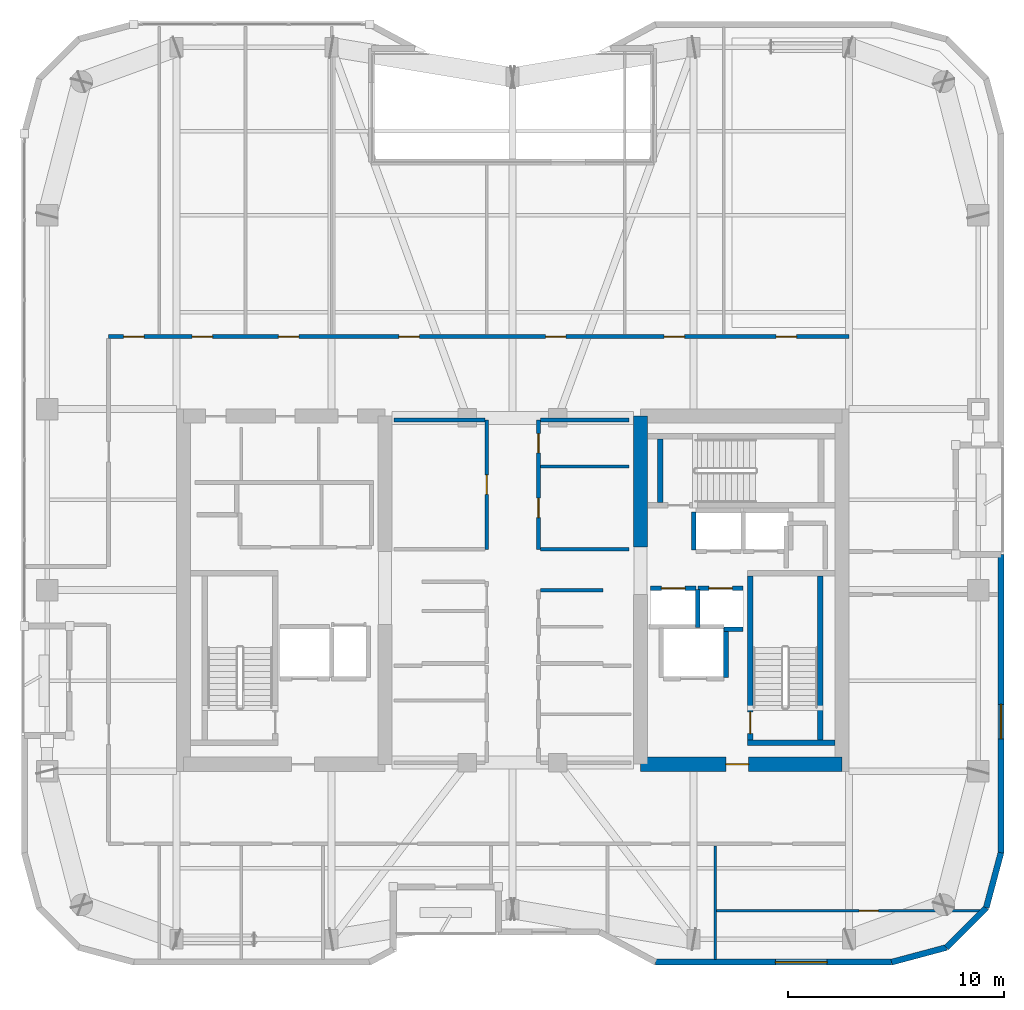
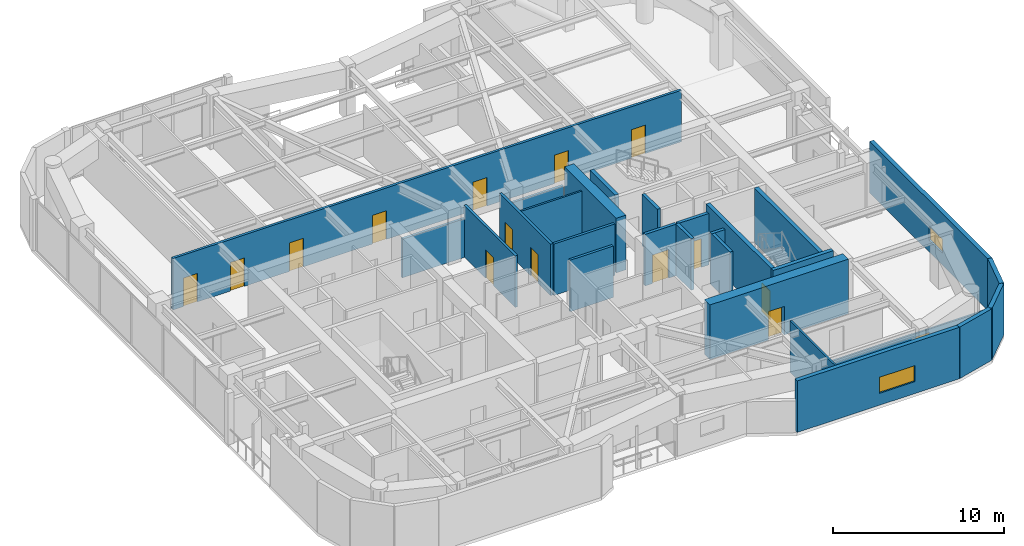
# One storey, part 17 of 22: 27 walls, 15 doors, 2 windows, 17 openings.
"""IFC4 building model written with IfcOpenShell, lengths in metres."""

from ifc_helpers import new_model, si_unit, direction, frame, frame_2d, origin, place, context, subcontext, project, spatial, rectangle, extrude, material, layer, layer_set, type_object, element, fill, save


model = new_model("IFC4")

# Units and contexts
model_context = context("Model", 3, precision=1e-05, world=origin(), true_north=direction((0.0, 1.0)))
body_context = subcontext(model_context, "Body", "Model", "MODEL_VIEW")
ifc_project = project(units=[si_unit("LENGTHUNIT", "METRE"), si_unit("AREAUNIT", "SQUARE_METRE"), si_unit("VOLUMEUNIT", "CUBIC_METRE"), si_unit("PLANEANGLEUNIT", "RADIAN"), si_unit("MASSUNIT", "GRAM", prefix="KILO")], contexts=[model_context])

# Site, building, storey
site_placement = place(None, origin())
site = spatial("IfcSite", under=ifc_project, at=site_placement, CompositionType="ELEMENT")
building_placement = place(site_placement, origin())
building = spatial("IfcBuilding", under=site, at=building_placement, Name="Kiyonajd Concourse Tower", CompositionType="ELEMENT")
storey_placement = place(building_placement, frame((0.0, 0.0, 243.300048828125)))
storey = spatial("IfcBuildingStorey", under=building, at=storey_placement, Name="L61", CompositionType="ELEMENT", Elevation=243.300048828125)

# Wall
ifc_material_1 = material(Name="Concrete C60/75", Category="concrete")
ifc_layer_1 = layer(ifc_material_1, 0.64990234375)
ifc_layer_set_1 = layer_set([ifc_layer_1], Name="Concrete C60/75")
wall_type_1 = type_object("IfcWallType", Name="WL-CORE-650", PredefinedType="SHEAR", material=ifc_layer_set_1)
wall_1_placement = place(storey_placement, frame((53.925048828125, 38.0, 0.0), z_axis=(0.0, 0.0, 1.0), x_axis=(0.0, 1.0, 0.0)))
element("IfcWall", 1, at=wall_1_placement, inside=storey, type_object=wall_type_1, Name="L61 East Core Inner North Shear Wall", PredefinedType="SHEAR", context=body_context, shape_type="SweptSolid", body=[
    extrude(rectangle(XDim=6.074951171875, YDim=0.64990234375, at=frame_2d((3.03759765625, 0.0))), origin(), (0.0, 0.0, 1.0), 3.89990234375),
])

# Wall, opening, door
wall_2_placement = place(storey_placement, frame((53.925048828125, 27.925048828125, 0.0), z_axis=(0.0, 0.0, 1.0), x_axis=(1.0, 0.0, 0.0)))
wall_2 = element("IfcWall", 2, at=wall_2_placement, inside=storey, type_object=wall_type_1, Name="L61 East Core South Shear Wall", PredefinedType="SHEAR", context=body_context, shape_type="SweptSolid", body=[
    extrude(rectangle(XDim=9.349853515625, YDim=0.64990234375, at=frame_2d((4.6748046875, 0.0))), origin(), (0.0, 0.0, 1.0), 3.89990234375),
])
opening_1_placement = place(wall_2_placement, frame((3.97509765625, 0.0, 0.0)))
opening_1 = element("IfcOpeningElement", 3, at=opening_1_placement, cuts=wall_2, Name="Opening DF5", PredefinedType="OPENING", context=body_context, shape_type="SweptSolid", body=[
    extrude(rectangle(XDim=1.050048828125, YDim=2.0400390625, at=frame_2d((0.52490234375, 1.02001953125))), frame((0.0, 0.3349609375, 0.0), z_axis=(0.0, -1.0, 0.0), x_axis=(1.0, 0.0, 0.0)), (0.0, 0.0, 1.0), 0.669921875),
])
ifc_material_2 = material(Name="Brushed Stainless Steel Cab Assembly", Category="steel")
door_type_1 = type_object("IfcDoorType", Name="DR-FD45-1050", OperationType="NOTDEFINED", PredefinedType="DOOR", material=ifc_material_2)
door_1_placement = place(opening_1_placement, origin())
door_1 = element("IfcDoor", 4, at=door_1_placement, inside=storey, type_object=door_type_1, Name="L61 Firefighting Lift Lobby E Smoke Door", OperationType="SINGLE_SWING_RIGHT", OverallHeight=2.0400390625, OverallWidth=1.050048828125, PredefinedType="DOOR", context=body_context, shape_type="SweptSolid", body=[
    extrude(rectangle(XDim=1.050048828125, YDim=2.0400390625, at=frame_2d((0.52490234375, 1.02001953125))), frame((0.0, 0.02490234375, 0.0), z_axis=(0.0, -1.0, 0.0), x_axis=(1.0, 0.0, 0.0)), (0.0, 0.0, 1.0), 0.050048828125),
])
fill(opening_1, door_1)

# Wall, opening, window
ifc_material_3 = material(Name="Precast concrete C50/60", Category="concrete")
ifc_layer_2 = layer(ifc_material_3, 0.280029296875)
ifc_layer_set_2 = layer_set([ifc_layer_2], Name="Precast concrete C50/60")
wall_type_2 = type_object("IfcWallType", Name="WL-EXT-280", PredefinedType="SOLIDWALL", material=ifc_layer_set_2)
wall_3_placement = place(storey_placement, frame((70.659912109375, 37.659912109375, 0.0), z_axis=(0.0, 0.0, 1.0), x_axis=(0.0, -1.0, 0.0)))
wall_3 = element("IfcWall", 5, at=wall_3_placement, inside=storey, type_object=wall_type_2, Name="L61 Exterior Concrete Frame Wall 25", PredefinedType="SOLIDWALL", context=body_context, shape_type="SweptSolid", body=[
    extrude(rectangle(XDim=13.841552734375, YDim=0.280029296875, at=frame_2d((6.9208984375, 0.0))), origin(), (0.0, 0.0, 1.0), 3.679931640625),
])
opening_2_placement = place(wall_3_placement, frame((6.9560546875, 0.0, 0.85009765625)))
opening_2 = element("IfcOpeningElement", 6, at=opening_2_placement, cuts=wall_3, Name="Opening WN6", PredefinedType="OPENING", context=body_context, shape_type="SweptSolid", body=[
    extrude(rectangle(XDim=1.60009765625, YDim=1.0, at=frame_2d((0.800048828125, 0.5))), frame((0.0, 0.14990234375, 0.0), z_axis=(0.0, -1.0, 0.0), x_axis=(1.0, 0.0, 0.0)), (0.0, 0.0, 1.0), 0.300048828125),
])
ifc_material_4 = material(Name="Double Low-E Insulated Glass", Category="glass")
window_type_1 = type_object("IfcWindowType", Name="WN-VIS-1600x1000", PartitioningType="SINGLE_PANEL", PredefinedType="WINDOW", material=ifc_material_4)
window_1_placement = place(opening_2_placement, origin())
window_1 = element("IfcWindow", 7, at=window_1_placement, inside=storey, type_object=window_type_1, Name="L61 Modular Facade Vision Window 25", OverallHeight=1.0, OverallWidth=1.60009765625, PartitioningType="SINGLE_PANEL", PredefinedType="WINDOW", context=body_context, shape_type="SweptSolid", body=[
    extrude(rectangle(XDim=1.60009765625, YDim=1.0, at=frame_2d((0.800048828125, 0.5))), frame((0.0, 0.030029296875, 0.0), z_axis=(0.0, -1.0, 0.0), x_axis=(1.0, 0.0, 0.0)), (0.0, 0.0, 1.0), 0.06005859375),
])
fill(opening_2, window_1)

# Walls
wall_4_placement = place(storey_placement, frame((70.659912109375, 23.818359375, 0.0), z_axis=(0.0, 0.0, 1.0), x_axis=(-0.2588904131, -0.965906700466, 0.0)))
element("IfcWall", 8, at=wall_4_placement, inside=storey, type_object=wall_type_2, Name="L61 Exterior Concrete Frame Wall 26", PredefinedType="SOLIDWALL", context=body_context, shape_type="SweptSolid", body=[
    extrude(rectangle(XDim=2.6357421875, YDim=0.280029296875, at=frame_2d((1.31787109375, 0.0))), origin(), (0.0, 0.0, 1.0), 3.679931640625),
])
wall_5_placement = place(storey_placement, frame((69.9775390625, 21.2724609375, 0.0), z_axis=(0.0, 0.0, 1.0), x_axis=(-0.707153437963, -0.707060121331, 0.0)))
element("IfcWall", 9, at=wall_5_placement, inside=storey, type_object=wall_type_2, Name="L61 Exterior Concrete Frame Wall 27", PredefinedType="SOLIDWALL", context=body_context, shape_type="SweptSolid", body=[
    extrude(rectangle(XDim=2.6162109375, YDim=0.280029296875, at=frame_2d((1.30810546875, 0.0))), origin(), (0.0, 0.0, 1.0), 3.679931640625),
])
wall_6_placement = place(storey_placement, frame((68.12744140625, 19.422607421875, 0.0), z_axis=(0.0, 0.0, 1.0), x_axis=(-0.965883534663, -0.258976828051, 0.0)))
element("IfcWall", 10, at=wall_6_placement, inside=storey, type_object=wall_type_2, Name="L61 Exterior Concrete Frame Wall 28", PredefinedType="SOLIDWALL", context=body_context, shape_type="SweptSolid", body=[
    extrude(rectangle(XDim=2.6357421875, YDim=0.280029296875, at=frame_2d((1.31787109375, 0.0))), origin(), (0.0, 0.0, 1.0), 3.679931640625),
])

# Wall, opening, window
wall_7_placement = place(storey_placement, frame((65.58154296875, 18.739990234375, 0.0), z_axis=(0.0, 0.0, 1.0), x_axis=(-1.0, 0.0, 0.0)))
wall_7 = element("IfcWall", 11, at=wall_7_placement, inside=storey, type_object=wall_type_2, Name="L61 Exterior Concrete Frame Wall 29", PredefinedType="SOLIDWALL", context=body_context, shape_type="SweptSolid", body=[
    extrude(rectangle(XDim=10.9462890625, YDim=0.280029296875, at=frame_2d((5.47314453125, 0.0))), origin(), (0.0, 0.0, 1.0), 3.679931640625),
])
opening_3_placement = place(wall_7_placement, frame((2.986083984375, 0.0, 0.85009765625)))
opening_3 = element("IfcOpeningElement", 12, at=opening_3_placement, cuts=wall_7, Name="Opening WN4", PredefinedType="OPENING", context=body_context, shape_type="SweptSolid", body=[
    extrude(rectangle(XDim=2.39990234375, YDim=1.14990234375, at=frame_2d((1.199951171875, 0.574951171875))), frame((0.0, 0.14990234375, 0.0), z_axis=(0.0, -1.0, 0.0), x_axis=(1.0, 0.0, 0.0)), (0.0, 0.0, 1.0), 0.300048828125),
])
window_type_2 = type_object("IfcWindowType", Name="WN-VIS-2400x1150", PartitioningType="SINGLE_PANEL", PredefinedType="WINDOW", material=ifc_material_4)
window_2_placement = place(opening_3_placement, origin())
window_2 = element("IfcWindow", 13, at=window_2_placement, inside=storey, type_object=window_type_2, Name="L61 Modular Facade Vision Window 29", OverallHeight=1.14990234375, OverallWidth=2.39990234375, PartitioningType="SINGLE_PANEL", PredefinedType="WINDOW", context=body_context, shape_type="SweptSolid", body=[
    extrude(rectangle(XDim=2.39990234375, YDim=1.14990234375, at=frame_2d((1.199951171875, 0.574951171875))), frame((0.0, 0.030029296875, 0.0), z_axis=(0.0, -1.0, 0.0), x_axis=(1.0, 0.0, 0.0)), (0.0, 0.0, 1.0), 0.06005859375),
])
fill(opening_3, window_2)

# Wall
ifc_material_5 = material(Name="Gypsum Board on Cold-Formed Steel Stud", Category="steel")
ifc_layer_3 = layer(ifc_material_5, 0.125)
ifc_layer_set_3 = layer_set([ifc_layer_3], Name="Gypsum Board on Cold-Formed Steel Stud")
wall_type_3 = type_object("IfcWallType", Name="WL-PART-125", PredefinedType="PARTITIONING", material=ifc_layer_set_3)
wall_8_placement = place(storey_placement, frame((49.287109375, 41.739990234375, 0.0), z_axis=(0.0, 0.0, 1.0), x_axis=(1.0, 0.0, 0.0)))
element("IfcWall", 14, at=wall_8_placement, inside=storey, type_object=wall_type_3, Name="L61 Interior Partition Wall", PredefinedType="PARTITIONING", context=body_context, shape_type="SweptSolid", body=[
    extrude(rectangle(XDim=4.11279296875, YDim=0.125, at=frame_2d((2.056396484375, 0.0))), origin(), (0.0, 0.0, 1.0), 3.679931640625),
])

# Wall, opening, door
wall_9_placement = place(storey_placement, frame((57.39990234375, 21.1298828125, 0.0), z_axis=(0.0, 0.0, 1.0), x_axis=(1.0, 0.0, 0.0)))
wall_9 = element("IfcWall", 15, at=wall_9_placement, inside=storey, type_object=wall_type_3, Name="L61 Interior Partition Wall", PredefinedType="PARTITIONING", context=body_context, shape_type="SweptSolid", body=[
    extrude(rectangle(XDim=12.298095703125, YDim=0.125, at=frame_2d((6.14892578125, 0.0))), origin(), (0.0, 0.0, 1.0), 2.264892578125),
])
opening_4_placement = place(wall_9_placement, frame((6.676025390625, 0.0, 0.0)))
opening_4 = element("IfcOpeningElement", 16, at=opening_4_placement, cuts=wall_9, Name="Opening DI2", PredefinedType="OPENING", context=body_context, shape_type="SweptSolid", body=[
    extrude(rectangle(XDim=0.89990234375, YDim=2.02001953125, at=frame_2d((0.449951171875, 1.010009765625))), frame((0.0, 0.072509765625, 0.0), z_axis=(0.0, -1.0, 0.0), x_axis=(1.0, 0.0, 0.0)), (0.0, 0.0, 1.0), 0.14501953125),
])
ifc_material_6 = material(Name="Natural Oak Acoustic Timber Veneer", Category="wood")
door_type_2 = type_object("IfcDoorType", Name="DR-INT-900", OperationType="NOTDEFINED", PredefinedType="DOOR", material=ifc_material_6)
door_2_placement = place(opening_4_placement, origin())
door_2 = element("IfcDoor", 17, at=door_2_placement, inside=storey, type_object=door_type_2, Name="L61 Interior Door", OperationType="SINGLE_SWING_LEFT", OverallHeight=2.02001953125, OverallWidth=0.89990234375, PredefinedType="DOOR", context=body_context, shape_type="SweptSolid", body=[
    extrude(rectangle(XDim=0.89990234375, YDim=2.02001953125, at=frame_2d((0.449951171875, 1.010009765625))), frame((0.0, 0.02490234375, 0.0), z_axis=(0.0, -1.0, 0.0), x_axis=(1.0, 0.0, 0.0)), (0.0, 0.0, 1.0), 0.050048828125),
])
fill(opening_4, door_2)

# Walls
wall_10_placement = place(storey_placement, frame((57.39990234375, 18.875, 0.0), z_axis=(0.0, 0.0, 1.0), x_axis=(0.0, 1.0, 0.0)))
element("IfcWall", 18, at=wall_10_placement, inside=storey, type_object=wall_type_3, Name="L61 Interior Partition Wall", PredefinedType="PARTITIONING", context=body_context, shape_type="SweptSolid", body=[
    extrude(rectangle(XDim=5.26806640625, YDim=0.125, at=frame_2d((2.634033203125, 0.0))), origin(), (0.0, 0.0, 1.0), 3.679931640625),
])
ifc_layer_4 = layer(ifc_material_5, 0.2099609375)
ifc_layer_set_4 = layer_set([ifc_layer_4], Name="Gypsum Board on Cold-Formed Steel Stud")
wall_type_4 = type_object("IfcWallType", Name="WL-SHAFT-210", PredefinedType="PARTITIONING", material=ifc_layer_set_4)
wall_11_placement = place(storey_placement, frame((57.89990234375, 31.9599609375, 0.0), z_axis=(0.0, 0.0, 1.0), x_axis=(0.0, 1.0, 0.0)))
element("IfcWall", 19, at=wall_11_placement, inside=storey, type_object=wall_type_4, Name="L61 Shaft Enclosure Wall", PredefinedType="PARTITIONING", context=body_context, shape_type="SweptSolid", body=[
    extrude(rectangle(XDim=2.280029296875, YDim=0.2099609375, at=frame_2d((1.14013671875, 0.0))), origin(), (0.0, 0.0, 1.0), 3.679931640625),
])

# Wall, opening, door
wall_12_placement = place(storey_placement, frame((54.39990234375, 36.10009765625, 0.0), z_axis=(0.0, 0.0, 1.0), x_axis=(1.0, 0.0, 0.0)))
wall_12 = element("IfcWall", 20, at=wall_12_placement, inside=storey, type_object=wall_type_4, Name="L61 Shaft Enclosure Wall", PredefinedType="PARTITIONING", context=body_context, shape_type="SweptSolid", body=[
    extrude(rectangle(XDim=2.10009765625, YDim=0.2099609375, at=frame_2d((1.050048828125, 0.0))), origin(), (0.0, 0.0, 1.0), 3.679931640625),
])
opening_5_placement = place(wall_12_placement, frame((0.5, 0.0, 0.0)))
opening_5 = element("IfcOpeningElement", 21, at=opening_5_placement, cuts=wall_12, Name="Opening LD1", PredefinedType="OPENING", context=body_context, shape_type="SweptSolid", body=[
    extrude(rectangle(XDim=1.10009765625, YDim=2.0400390625, at=frame_2d((0.550048828125, 1.02001953125))), frame((0.0, 0.114990234375, 0.0), z_axis=(0.0, -1.0, 0.0), x_axis=(1.0, 0.0, 0.0)), (0.0, 0.0, 1.0), 0.22998046875),
])
door_type_3 = type_object("IfcDoorType", Name="DR-LD-1100", OperationType="DOUBLE_DOOR_SLIDING", PredefinedType="DOOR", material=ifc_material_2)
door_3_placement = place(opening_5_placement, origin())
door_3 = element("IfcDoor", 22, at=door_3_placement, inside=storey, type_object=door_type_3, Name="L61 Lift PL-H1 Sliding Landing Door", OperationType="DOUBLE_DOOR_SLIDING", OverallHeight=2.0400390625, OverallWidth=1.10009765625, PredefinedType="DOOR", context=body_context, shape_type="SweptSolid", body=[
    extrude(rectangle(XDim=1.10009765625, YDim=2.0400390625, at=frame_2d((0.550048828125, 1.02001953125))), frame((0.0, 0.02490234375, 0.0), z_axis=(0.0, -1.0, 0.0), x_axis=(1.0, 0.0, 0.0)), (0.0, 0.0, 1.0), 0.050048828125),
])
fill(opening_5, door_3)

# Wall
wall_13_placement = place(storey_placement, frame((56.60009765625, 34.260009765625, 0.0), z_axis=(0.0, 0.0, 1.0), x_axis=(0.0, 1.0, 0.0)))
element("IfcWall", 23, at=wall_13_placement, inside=storey, type_object=wall_type_4, Name="L61 Shaft Enclosure Wall", PredefinedType="PARTITIONING", context=body_context, shape_type="SweptSolid", body=[
    extrude(rectangle(XDim=1.780029296875, YDim=0.2099609375, at=frame_2d((0.89013671875, 0.0))), origin(), (0.0, 0.0, 1.0), 3.679931640625),
])

# Wall, opening, door
wall_14_placement = place(storey_placement, frame((56.60009765625, 36.10009765625, 0.0), z_axis=(0.0, 0.0, 1.0), x_axis=(1.0, 0.0, 0.0)))
wall_14 = element("IfcWall", 24, at=wall_14_placement, inside=storey, type_object=wall_type_4, Name="L61 Shaft Enclosure Wall", PredefinedType="PARTITIONING", context=body_context, shape_type="SweptSolid", body=[
    extrude(rectangle(XDim=2.099853515625, YDim=0.2099609375, at=frame_2d((1.0498046875, 0.0))), origin(), (0.0, 0.0, 1.0), 3.679931640625),
])
opening_6_placement = place(wall_14_placement, frame((0.5, 0.0, 0.0)))
opening_6 = element("IfcOpeningElement", 25, at=opening_6_placement, cuts=wall_14, Name="Opening LD1", PredefinedType="OPENING", context=body_context, shape_type="SweptSolid", body=[
    extrude(rectangle(XDim=1.10009765625, YDim=2.0400390625, at=frame_2d((0.550048828125, 1.02001953125))), frame((0.0, 0.114990234375, 0.0), z_axis=(0.0, -1.0, 0.0), x_axis=(1.0, 0.0, 0.0)), (0.0, 0.0, 1.0), 0.22998046875),
])
door_4_placement = place(opening_6_placement, origin())
door_4 = element("IfcDoor", 26, at=door_4_placement, inside=storey, type_object=door_type_3, Name="L61 Lift PL-H2 Sliding Landing Door", OperationType="DOUBLE_DOOR_SLIDING", OverallHeight=2.0400390625, OverallWidth=1.10009765625, PredefinedType="DOOR", context=body_context, shape_type="SweptSolid", body=[
    extrude(rectangle(XDim=1.10009765625, YDim=2.0400390625, at=frame_2d((0.550048828125, 1.02001953125))), frame((0.0, 0.02490234375, 0.0), z_axis=(0.0, -1.0, 0.0), x_axis=(1.0, 0.0, 0.0)), (0.0, 0.0, 1.0), 0.050048828125),
])
fill(opening_6, door_4)

# Walls
wall_15_placement = place(storey_placement, frame((57.800048828125, 34.199951171875, 0.0), z_axis=(0.0, 0.0, 1.0), x_axis=(1.0, 0.0, 0.0)))
element("IfcWall", 27, at=wall_15_placement, inside=storey, type_object=wall_type_4, Name="L61 Shaft Enclosure Wall", PredefinedType="PARTITIONING", context=body_context, shape_type="SweptSolid", body=[
    extrude(rectangle(XDim=0.89990234375, YDim=0.2099609375, at=frame_2d((0.449951171875, 0.0))), origin(), (0.0, 0.0, 1.0), 3.679931640625),
])
wall_16_placement = place(storey_placement, frame((56.39990234375, 37.860107421875, 0.0), z_axis=(0.0, 0.0, 1.0), x_axis=(0.0, 1.0, 0.0)))
element("IfcWall", 28, at=wall_16_placement, inside=storey, type_object=wall_type_4, Name="L61 Shaft Enclosure Wall", PredefinedType="PARTITIONING", context=body_context, shape_type="SweptSolid", body=[
    extrude(rectangle(XDim=1.77978515625, YDim=0.2099609375, at=frame_2d((0.889892578125, 0.0))), origin(), (0.0, 0.0, 1.0), 3.679931640625),
])
ifc_layer_5 = layer(ifc_material_5, 0.169921875)
ifc_layer_set_5 = layer_set([ifc_layer_5], Name="Gypsum Board on Cold-Formed Steel Stud")
wall_type_5 = type_object("IfcWallType", Name="WL-SMK-170", PredefinedType="PARTITIONING", material=ifc_layer_set_5)
wall_17_placement = place(storey_placement, frame((49.287109375, 36.0, 0.0), z_axis=(0.0, 0.0, 1.0), x_axis=(1.0, 0.0, 0.0)))
element("IfcWall", 29, at=wall_17_placement, inside=storey, type_object=wall_type_5, Name="L61 Interior Partition Wall", PredefinedType="PARTITIONING", context=body_context, shape_type="SweptSolid", body=[
    extrude(rectangle(XDim=2.912841796875, YDim=0.169921875, at=frame_2d((1.45654296875, 0.0))), origin(), (0.0, 0.0, 1.0), 3.679931640625),
])

# Wall, opening, door
wall_18_placement = place(storey_placement, frame((46.800048828125, 37.89990234375, 0.0), z_axis=(0.0, 0.0, 1.0), x_axis=(0.0, 1.0, 0.0)))
wall_18 = element("IfcWall", 30, at=wall_18_placement, inside=storey, type_object=wall_type_5, Name="L61 Interior Partition Wall", PredefinedType="PARTITIONING", context=body_context, shape_type="SweptSolid", body=[
    extrude(rectangle(XDim=6.0, YDim=0.169921875, at=frame_2d((3.0, 0.0))), origin(), (0.0, 0.0, 1.0), 3.679931640625),
])
opening_7_placement = place(wall_18_placement, frame((2.550048828125, 0.0, 0.0)))
opening_7 = element("IfcOpeningElement", 31, at=opening_7_placement, cuts=wall_18, Name="Opening DI2", PredefinedType="OPENING", context=body_context, shape_type="SweptSolid", body=[
    extrude(rectangle(XDim=0.89990234375, YDim=2.02001953125, at=frame_2d((0.449951171875, 1.010009765625))), frame((0.0, 0.094970703125, 0.0), z_axis=(0.0, -1.0, 0.0), x_axis=(1.0, 0.0, 0.0)), (0.0, 0.0, 1.0), 0.18994140625),
])
door_5_placement = place(opening_7_placement, origin())
door_5 = element("IfcDoor", 32, at=door_5_placement, inside=storey, type_object=door_type_2, Name="L61 Interior Door", OperationType="SINGLE_SWING_RIGHT", OverallHeight=2.02001953125, OverallWidth=0.89990234375, PredefinedType="DOOR", context=body_context, shape_type="SweptSolid", body=[
    extrude(rectangle(XDim=0.89990234375, YDim=2.02001953125, at=frame_2d((0.449951171875, 1.010009765625))), frame((0.0, 0.02490234375, 0.0), z_axis=(0.0, -1.0, 0.0), x_axis=(1.0, 0.0, 0.0)), (0.0, 0.0, 1.0), 0.050048828125),
])
fill(opening_7, door_5)

# Wall
wall_19_placement = place(storey_placement, frame((42.5, 43.89990234375, 0.0), z_axis=(0.0, 0.0, 1.0), x_axis=(1.0, 0.0, 0.0)))
element("IfcWall", 33, at=wall_19_placement, inside=storey, type_object=wall_type_5, Name="L61 Interior Partition Wall", PredefinedType="PARTITIONING", context=body_context, shape_type="SweptSolid", body=[
    extrude(rectangle(XDim=4.212890625, YDim=0.169921875, at=frame_2d((2.1064453125, 0.0))), origin(), (0.0, 0.0, 1.0), 2.764892578125),
])

# Wall, openings, doors
wall_20_placement = place(storey_placement, frame((49.199951171875, 37.89990234375, 0.0), z_axis=(0.0, 0.0, 1.0), x_axis=(0.0, 1.0, 0.0)))
wall_20 = element("IfcWall", 34, at=wall_20_placement, inside=storey, type_object=wall_type_5, Name="L61 Interior Partition Wall", PredefinedType="PARTITIONING", context=body_context, shape_type="SweptSolid", body=[
    extrude(rectangle(XDim=6.0, YDim=0.169921875, at=frame_2d((3.0, 0.0))), origin(), (0.0, 0.0, 1.0), 3.679931640625),
])
opening_8_placement = place(wall_20_placement, frame((1.469970703125, 0.0, 0.0)))
opening_8 = element("IfcOpeningElement", 35, at=opening_8_placement, cuts=wall_20, Name="Opening DF4", PredefinedType="OPENING", context=body_context, shape_type="SweptSolid", body=[
    extrude(rectangle(XDim=0.89990234375, YDim=2.02001953125, at=frame_2d((0.449951171875, 1.010009765625))), frame((0.0, 0.094970703125, 0.0), z_axis=(0.0, -1.0, 0.0), x_axis=(1.0, 0.0, 0.0)), (0.0, 0.0, 1.0), 0.18994140625),
])
opening_9_placement = place(wall_20_placement, frame((4.469970703125, 0.0, 0.0)))
opening_9 = element("IfcOpeningElement", 36, at=opening_9_placement, cuts=wall_20, Name="Opening DF4", PredefinedType="OPENING", context=body_context, shape_type="SweptSolid", body=[
    extrude(rectangle(XDim=0.89990234375, YDim=2.02001953125, at=frame_2d((0.449951171875, 1.010009765625))), frame((0.0, 0.094970703125, 0.0), z_axis=(0.0, -1.0, 0.0), x_axis=(1.0, 0.0, 0.0)), (0.0, 0.0, 1.0), 0.18994140625),
])
door_type_4 = type_object("IfcDoorType", Name="DR-FD60-900", OperationType="NOTDEFINED", PredefinedType="DOOR", material=ifc_material_2)
door_6_placement = place(opening_8_placement, origin())
door_6 = element("IfcDoor", 37, at=door_6_placement, inside=storey, type_object=door_type_4, Name="L61 Interior Door", OperationType="SINGLE_SWING_LEFT", OverallHeight=2.02001953125, OverallWidth=0.89990234375, PredefinedType="DOOR", context=body_context, shape_type="SweptSolid", body=[
    extrude(rectangle(XDim=0.89990234375, YDim=2.02001953125, at=frame_2d((0.449951171875, 1.010009765625))), frame((0.0, 0.02490234375, 0.0), z_axis=(0.0, -1.0, 0.0), x_axis=(1.0, 0.0, 0.0)), (0.0, 0.0, 1.0), 0.050048828125),
])
fill(opening_8, door_6)
door_7_placement = place(opening_9_placement, origin())
door_7 = element("IfcDoor", 38, at=door_7_placement, inside=storey, type_object=door_type_4, Name="L61 Interior Door", OperationType="SINGLE_SWING_RIGHT", OverallHeight=2.02001953125, OverallWidth=0.89990234375, PredefinedType="DOOR", context=body_context, shape_type="SweptSolid", body=[
    extrude(rectangle(XDim=0.89990234375, YDim=2.02001953125, at=frame_2d((0.449951171875, 1.010009765625))), frame((0.0, 0.02490234375, 0.0), z_axis=(0.0, -1.0, 0.0), x_axis=(1.0, 0.0, 0.0)), (0.0, 0.0, 1.0), 0.050048828125),
])
fill(opening_9, door_7)

# Walls
wall_21_placement = place(storey_placement, frame((49.287109375, 37.89990234375, 0.0), z_axis=(0.0, 0.0, 1.0), x_axis=(1.0, 0.0, 0.0)))
element("IfcWall", 39, at=wall_21_placement, inside=storey, type_object=wall_type_5, Name="L61 Interior Partition Wall", PredefinedType="PARTITIONING", context=body_context, shape_type="SweptSolid", body=[
    extrude(rectangle(XDim=4.11279296875, YDim=0.169921875, at=frame_2d((2.056396484375, 0.0))), origin(), (0.0, 0.0, 1.0), 3.679931640625),
])
wall_22_placement = place(storey_placement, frame((49.287109375, 43.89990234375, 0.0), z_axis=(0.0, 0.0, 1.0), x_axis=(1.0, 0.0, 0.0)))
element("IfcWall", 40, at=wall_22_placement, inside=storey, type_object=wall_type_5, Name="L61 Interior Partition Wall", PredefinedType="PARTITIONING", context=body_context, shape_type="SweptSolid", body=[
    extrude(rectangle(XDim=4.11279296875, YDim=0.169921875, at=frame_2d((2.056396484375, 0.0))), origin(), (0.0, 0.0, 1.0), 2.764892578125),
])

# Wall, openings, doors
wall_23_placement = place(storey_placement, frame((29.25, 47.77001953125, 0.0), z_axis=(0.0, 0.0, 1.0), x_axis=(1.0, 0.0, 0.0)))
wall_23 = element("IfcWall", 41, at=wall_23_placement, inside=storey, type_object=wall_type_5, Name="L61 Interior Partition Wall", PredefinedType="PARTITIONING", context=body_context, shape_type="SweptSolid", body=[
    extrude(rectangle(XDim=34.35009765625, YDim=0.169921875, at=frame_2d((17.175048828125, 0.0))), origin(), (0.0, 0.0, 1.0), 3.679931640625),
])
opening_10_placement = place(wall_23_placement, frame((0.699951171875, 0.0, 0.0)))
opening_10 = element("IfcOpeningElement", 42, at=opening_10_placement, cuts=wall_23, Name="Opening DI1", PredefinedType="OPENING", context=body_context, shape_type="SweptSolid", body=[
    extrude(rectangle(XDim=0.949951171875, YDim=2.0400390625, at=frame_2d((0.47509765625, 1.02001953125))), frame((0.0, 0.094970703125, 0.0), z_axis=(0.0, -1.0, 0.0), x_axis=(1.0, 0.0, 0.0)), (0.0, 0.0, 1.0), 0.18994140625),
])
opening_11_placement = place(wall_23_placement, frame((3.875, 0.0, 0.0)))
opening_11 = element("IfcOpeningElement", 43, at=opening_11_placement, cuts=wall_23, Name="Opening DI1", PredefinedType="OPENING", context=body_context, shape_type="SweptSolid", body=[
    extrude(rectangle(XDim=0.949951171875, YDim=2.0400390625, at=frame_2d((0.47509765625, 1.02001953125))), frame((0.0, 0.094970703125, 0.0), z_axis=(0.0, -1.0, 0.0), x_axis=(1.0, 0.0, 0.0)), (0.0, 0.0, 1.0), 0.18994140625),
])
opening_12_placement = place(wall_23_placement, frame((7.875, 0.0, 0.0)))
opening_12 = element("IfcOpeningElement", 44, at=opening_12_placement, cuts=wall_23, Name="Opening DI1", PredefinedType="OPENING", context=body_context, shape_type="SweptSolid", body=[
    extrude(rectangle(XDim=0.949951171875, YDim=2.0400390625, at=frame_2d((0.47509765625, 1.02001953125))), frame((0.0, 0.094970703125, 0.0), z_axis=(0.0, -1.0, 0.0), x_axis=(1.0, 0.0, 0.0)), (0.0, 0.0, 1.0), 0.18994140625),
])
opening_13_placement = place(wall_23_placement, frame((13.47509765625, 0.0, 0.0)))
opening_13 = element("IfcOpeningElement", 45, at=opening_13_placement, cuts=wall_23, Name="Opening DI1", PredefinedType="OPENING", context=body_context, shape_type="SweptSolid", body=[
    extrude(rectangle(XDim=0.949951171875, YDim=2.0400390625, at=frame_2d((0.47509765625, 1.02001953125))), frame((0.0, 0.094970703125, 0.0), z_axis=(0.0, -1.0, 0.0), x_axis=(1.0, 0.0, 0.0)), (0.0, 0.0, 1.0), 0.18994140625),
])
opening_14_placement = place(wall_23_placement, frame((20.27490234375, 0.0, 0.0)))
opening_14 = element("IfcOpeningElement", 46, at=opening_14_placement, cuts=wall_23, Name="Opening DI1", PredefinedType="OPENING", context=body_context, shape_type="SweptSolid", body=[
    extrude(rectangle(XDim=0.949951171875, YDim=2.0400390625, at=frame_2d((0.47509765625, 1.02001953125))), frame((0.0, 0.094970703125, 0.0), z_axis=(0.0, -1.0, 0.0), x_axis=(1.0, 0.0, 0.0)), (0.0, 0.0, 1.0), 0.18994140625),
])
opening_15_placement = place(wall_23_placement, frame((25.77490234375, 0.0, 0.0)))
opening_15 = element("IfcOpeningElement", 47, at=opening_15_placement, cuts=wall_23, Name="Opening DI1", PredefinedType="OPENING", context=body_context, shape_type="SweptSolid", body=[
    extrude(rectangle(XDim=0.949951171875, YDim=2.0400390625, at=frame_2d((0.47509765625, 1.02001953125))), frame((0.0, 0.094970703125, 0.0), z_axis=(0.0, -1.0, 0.0), x_axis=(1.0, 0.0, 0.0)), (0.0, 0.0, 1.0), 0.18994140625),
])
opening_16_placement = place(wall_23_placement, frame((30.97509765625, 0.0, 0.0)))
opening_16 = element("IfcOpeningElement", 48, at=opening_16_placement, cuts=wall_23, Name="Opening DI1", PredefinedType="OPENING", context=body_context, shape_type="SweptSolid", body=[
    extrude(rectangle(XDim=0.949951171875, YDim=2.0400390625, at=frame_2d((0.47509765625, 1.02001953125))), frame((0.0, 0.094970703125, 0.0), z_axis=(0.0, -1.0, 0.0), x_axis=(1.0, 0.0, 0.0)), (0.0, 0.0, 1.0), 0.18994140625),
])
door_type_5 = type_object("IfcDoorType", Name="DR-INT-950", OperationType="NOTDEFINED", PredefinedType="DOOR", material=ifc_material_6)
door_8_placement = place(opening_10_placement, origin())
door_8 = element("IfcDoor", 49, at=door_8_placement, inside=storey, type_object=door_type_5, Name="L61 Interior Door", OperationType="SINGLE_SWING_LEFT", OverallHeight=2.0400390625, OverallWidth=0.949951171875, PredefinedType="DOOR", context=body_context, shape_type="SweptSolid", body=[
    extrude(rectangle(XDim=0.949951171875, YDim=2.0400390625, at=frame_2d((0.47509765625, 1.02001953125))), frame((0.0, 0.02490234375, 0.0), z_axis=(0.0, -1.0, 0.0), x_axis=(1.0, 0.0, 0.0)), (0.0, 0.0, 1.0), 0.050048828125),
])
fill(opening_10, door_8)
door_9_placement = place(opening_11_placement, origin())
door_9 = element("IfcDoor", 50, at=door_9_placement, inside=storey, type_object=door_type_5, Name="L61 Interior Door", OperationType="SINGLE_SWING_RIGHT", OverallHeight=2.0400390625, OverallWidth=0.949951171875, PredefinedType="DOOR", context=body_context, shape_type="SweptSolid", body=[
    extrude(rectangle(XDim=0.949951171875, YDim=2.0400390625, at=frame_2d((0.47509765625, 1.02001953125))), frame((0.0, 0.02490234375, 0.0), z_axis=(0.0, -1.0, 0.0), x_axis=(1.0, 0.0, 0.0)), (0.0, 0.0, 1.0), 0.050048828125),
])
fill(opening_11, door_9)
door_10_placement = place(opening_12_placement, origin())
door_10 = element("IfcDoor", 51, at=door_10_placement, inside=storey, type_object=door_type_5, Name="L61 Interior Door", OperationType="SINGLE_SWING_LEFT", OverallHeight=2.0400390625, OverallWidth=0.949951171875, PredefinedType="DOOR", context=body_context, shape_type="SweptSolid", body=[
    extrude(rectangle(XDim=0.949951171875, YDim=2.0400390625, at=frame_2d((0.47509765625, 1.02001953125))), frame((0.0, 0.02490234375, 0.0), z_axis=(0.0, -1.0, 0.0), x_axis=(1.0, 0.0, 0.0)), (0.0, 0.0, 1.0), 0.050048828125),
])
fill(opening_12, door_10)
door_11_placement = place(opening_13_placement, origin())
door_11 = element("IfcDoor", 52, at=door_11_placement, inside=storey, type_object=door_type_5, Name="L61 Interior Door", OperationType="SINGLE_SWING_RIGHT", OverallHeight=2.0400390625, OverallWidth=0.949951171875, PredefinedType="DOOR", context=body_context, shape_type="SweptSolid", body=[
    extrude(rectangle(XDim=0.949951171875, YDim=2.0400390625, at=frame_2d((0.47509765625, 1.02001953125))), frame((0.0, 0.02490234375, 0.0), z_axis=(0.0, -1.0, 0.0), x_axis=(1.0, 0.0, 0.0)), (0.0, 0.0, 1.0), 0.050048828125),
])
fill(opening_13, door_11)
door_12_placement = place(opening_14_placement, origin())
door_12 = element("IfcDoor", 53, at=door_12_placement, inside=storey, type_object=door_type_5, Name="L61 Interior Door", OperationType="SINGLE_SWING_LEFT", OverallHeight=2.0400390625, OverallWidth=0.949951171875, PredefinedType="DOOR", context=body_context, shape_type="SweptSolid", body=[
    extrude(rectangle(XDim=0.949951171875, YDim=2.0400390625, at=frame_2d((0.47509765625, 1.02001953125))), frame((0.0, 0.02490234375, 0.0), z_axis=(0.0, -1.0, 0.0), x_axis=(1.0, 0.0, 0.0)), (0.0, 0.0, 1.0), 0.050048828125),
])
fill(opening_14, door_12)
door_13_placement = place(opening_15_placement, origin())
door_13 = element("IfcDoor", 54, at=door_13_placement, inside=storey, type_object=door_type_5, Name="L61 Interior Door", OperationType="SINGLE_SWING_RIGHT", OverallHeight=2.0400390625, OverallWidth=0.949951171875, PredefinedType="DOOR", context=body_context, shape_type="SweptSolid", body=[
    extrude(rectangle(XDim=0.949951171875, YDim=2.0400390625, at=frame_2d((0.47509765625, 1.02001953125))), frame((0.0, 0.02490234375, 0.0), z_axis=(0.0, -1.0, 0.0), x_axis=(1.0, 0.0, 0.0)), (0.0, 0.0, 1.0), 0.050048828125),
])
fill(opening_15, door_13)
door_14_placement = place(opening_16_placement, origin())
door_14 = element("IfcDoor", 55, at=door_14_placement, inside=storey, type_object=door_type_5, Name="L61 Interior Door", OperationType="SINGLE_SWING_LEFT", OverallHeight=2.0400390625, OverallWidth=0.949951171875, PredefinedType="DOOR", context=body_context, shape_type="SweptSolid", body=[
    extrude(rectangle(XDim=0.949951171875, YDim=2.0400390625, at=frame_2d((0.47509765625, 1.02001953125))), frame((0.0, 0.02490234375, 0.0), z_axis=(0.0, -1.0, 0.0), x_axis=(1.0, 0.0, 0.0)), (0.0, 0.0, 1.0), 0.050048828125),
])
fill(opening_16, door_14)

# Wall
ifc_material_7 = material(Name="Concrete C50/60", Category="concrete")
ifc_layer_6 = layer(ifc_material_7, 0.260009765625)
ifc_layer_set_6 = layer_set([ifc_layer_6], Name="Concrete C50/60")
wall_type_6 = type_object("IfcWallType", Name="WL-STAIR-260", PredefinedType="SHEAR", material=ifc_layer_set_6)
wall_24_placement = place(storey_placement, frame((58.889892578125, 28.919921875, 0.0), z_axis=(0.0, 0.0, 1.0), x_axis=(1.0, 0.0, 0.0)))
element("IfcWall", 56, at=wall_24_placement, inside=storey, type_object=wall_type_6, Name="L61 Stair ST2 Structural South Wall", PredefinedType="SHEAR", context=body_context, shape_type="SweptSolid", body=[
    extrude(rectangle(XDim=4.06005859375, YDim=0.260009765625, at=frame_2d((2.030029296875, 0.0))), origin(), (0.0, 0.0, 1.0), 3.89990234375),
])

# Wall, opening, door
wall_25_placement = place(storey_placement, frame((59.02001953125, 29.050048828125, 0.0), z_axis=(0.0, 0.0, 1.0), x_axis=(0.0, 1.0, 0.0)))
wall_25 = element("IfcWall", 57, at=wall_25_placement, inside=storey, type_object=wall_type_6, Name="L61 Stair ST2 Structural West Wall", PredefinedType="SHEAR", context=body_context, shape_type="SweptSolid", body=[
    extrude(rectangle(XDim=7.599853515625, YDim=0.260009765625, at=frame_2d((3.7998046875, 0.0))), origin(), (0.0, 0.0, 1.0), 3.89990234375),
])
opening_17_placement = place(wall_25_placement, frame((0.300048828125, 0.0, 0.0)))
opening_17 = element("IfcOpeningElement", 58, at=opening_17_placement, cuts=wall_25, Name="Opening DF1", PredefinedType="OPENING", context=body_context, shape_type="SweptSolid", body=[
    extrude(rectangle(XDim=1.0, YDim=2.0400390625, at=frame_2d((0.5, 1.02001953125))), frame((0.0, 0.139892578125, 0.0), z_axis=(0.0, -1.0, 0.0), x_axis=(1.0, 0.0, 0.0)), (0.0, 0.0, 1.0), 0.280029296875),
])
door_type_6 = type_object("IfcDoorType", Name="DR-FD90-1000", OperationType="NOTDEFINED", PredefinedType="DOOR", material=ifc_material_2)
door_15_placement = place(opening_17_placement, origin())
door_15 = element("IfcDoor", 59, at=door_15_placement, inside=storey, type_object=door_type_6, Name="L61 Stair ST2 FSAE Door", OperationType="SINGLE_SWING_RIGHT", OverallHeight=2.0400390625, OverallWidth=1.0, PredefinedType="DOOR", context=body_context, shape_type="SweptSolid", body=[
    extrude(rectangle(XDim=1.0, YDim=2.0400390625, at=frame_2d((0.5, 1.02001953125))), frame((0.0, 0.02490234375, 0.0), z_axis=(0.0, -1.0, 0.0), x_axis=(1.0, 0.0, 0.0)), (0.0, 0.0, 1.0), 0.050048828125),
])
fill(opening_17, door_15)

# Walls
wall_26_placement = place(storey_placement, frame((62.280029296875, 29.050048828125, 0.0), z_axis=(0.0, 0.0, 1.0), x_axis=(0.0, 1.0, 0.0)))
element("IfcWall", 60, at=wall_26_placement, inside=storey, type_object=wall_type_6, Name="L61 Stair ST2 Structural East Wall", PredefinedType="SHEAR", context=body_context, shape_type="SweptSolid", body=[
    extrude(rectangle(XDim=7.599853515625, YDim=0.260009765625, at=frame_2d((3.7998046875, 0.0))), origin(), (0.0, 0.0, 1.0), 3.89990234375),
])
wall_27_placement = place(storey_placement, frame((54.85009765625, 40.080078125, 0.0), z_axis=(0.0, 0.0, 1.0), x_axis=(0.0, 1.0, 0.0)))
element("IfcWall", 61, at=wall_27_placement, inside=storey, type_object=wall_type_6, Name="L61 Stair ST3 Structural West Wall", PredefinedType="SHEAR", context=body_context, shape_type="SweptSolid", body=[
    extrude(rectangle(XDim=2.93994140625, YDim=0.260009765625, at=frame_2d((1.469970703125, 0.0))), origin(), (0.0, 0.0, 1.0), 3.89990234375),
])

save(model, "model.ifc")
